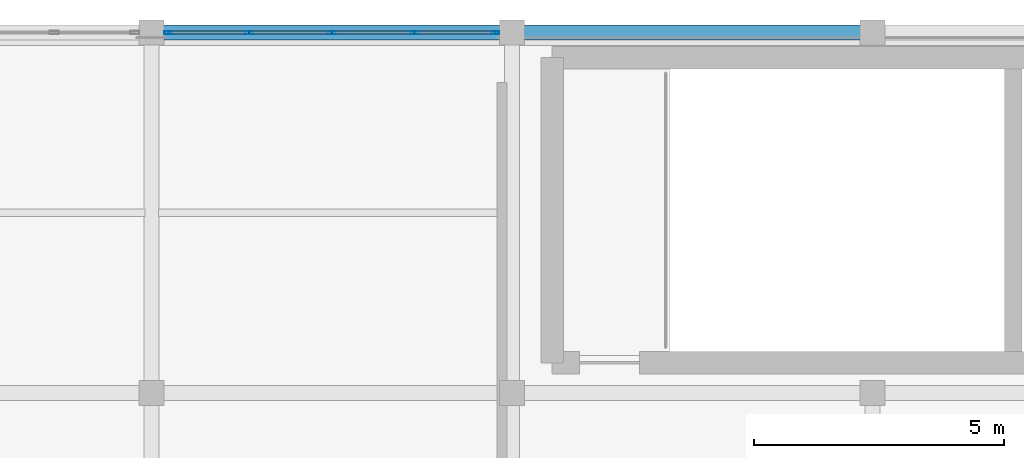
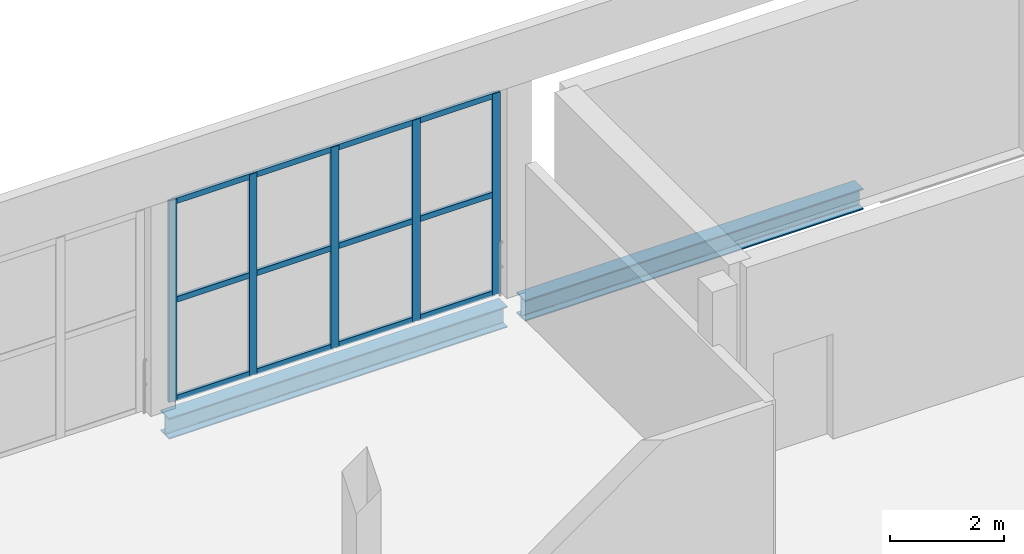
# One storey, part 36 of 64: 17 members, 2 beams, 1 element without a shape of its own.
"""IFC4 building model written with IfcOpenShell, lengths in metres."""

from ifc_helpers import new_model, si_unit, direction, frame, origin, origin_2d, place, context, subcontext, project, spatial, hollow_rectangle, i_section, extrude, material, material_profile, profile_set, type_object, element, aggregate, save


model = new_model("IFC4")

# Units and contexts
model_context = context("Model", 3, precision=1e-05, world=origin(), true_north=direction((0.0, 1.0)))
body_context = subcontext(model_context, "Body", "Model", "MODEL_VIEW")
ifc_project = project(units=[si_unit("LENGTHUNIT", "METRE"), si_unit("AREAUNIT", "SQUARE_METRE"), si_unit("VOLUMEUNIT", "CUBIC_METRE"), si_unit("PLANEANGLEUNIT", "RADIAN"), si_unit("MASSUNIT", "GRAM", prefix="KILO")], contexts=[model_context])

# Site, building, storey
site_placement = place(None, origin())
site = spatial("IfcSite", under=ifc_project, at=site_placement, CompositionType="ELEMENT")
building_placement = place(site_placement, origin())
building = spatial("IfcBuilding", under=site, at=building_placement, Name="Qandorah Velis Arena", CompositionType="ELEMENT")
storey_placement = place(building_placement, frame((0.0, 0.0, 23.0)))
storey = spatial("IfcBuildingStorey", under=building, at=storey_placement, Name="L05", CompositionType="ELEMENT", Elevation=23.0)

# Curtain wall, members
ifc_material_1 = material(Name="Solar-control low-E double glazing", Category="glass")
curtain_wall_type = type_object("IfcCurtainWallType", Name="ARC-CW-SYS07", PredefinedType="USERDEFINED", material=ifc_material_1)
curtain_wall_placement = place(storey_placement, origin())
curtain_wall = element("IfcCurtainWall", 1, at=curtain_wall_placement, inside=storey, type_object=curtain_wall_type, Name="Unitised curtain wall L05-103", ObjectType="UNITISED CURTAIN WALL", PredefinedType="USERDEFINED")
ifc_material_2 = material(Name="Champagne-bronze anodized aluminium 6063-T6", Category="aluminium")
ifc_material_profile_1 = material_profile(ifc_material_2, hollow_rectangle(XDim=0.06005859375, YDim=0.159912109375, WallThickness=0.00341796875, at=origin_2d()), Name="ALU MULLION 60x160")
ifc_profile_set_1 = profile_set([ifc_material_profile_1], Name="Champagne-bronze anodized aluminium 6063-T6")
member_type_1 = type_object("IfcMemberType", Name="ARC-CWM-160", PredefinedType="MULLION", material=ifc_profile_set_1)
member_1_placement = place(storey_placement, frame((65.1298828125, 129.60009765625, -0.014892578125), z_axis=(0.0, 0.0, 1.0), x_axis=(0.0, 1.0, 0.0)))
member_1 = element("IfcMember", 2, at=member_1_placement, type_object=member_type_1, Name="CW07 mullion 1", PredefinedType="MULLION", context=body_context, shape_type="SweptSolid", body=[
    extrude(hollow_rectangle(XDim=0.06005859375, YDim=0.159912109375, WallThickness=0.00341796875, at=origin_2d()), origin(), (0.0, 0.0, 1.0), 4.309814453125),
])
member_2_placement = place(storey_placement, frame((66.75, 129.60009765625, -0.014892578125), z_axis=(0.0, 0.0, 1.0), x_axis=(0.0, 1.0, 0.0)))
member_2 = element("IfcMember", 3, at=member_2_placement, type_object=member_type_1, Name="CW07 mullion 2", PredefinedType="MULLION", context=body_context, shape_type="SweptSolid", body=[
    extrude(hollow_rectangle(XDim=0.06005859375, YDim=0.159912109375, WallThickness=0.00341796875, at=origin_2d()), origin(), (0.0, 0.0, 1.0), 4.309814453125),
])
member_3_placement = place(storey_placement, frame((68.39990234375, 129.60009765625, -0.014892578125), z_axis=(0.0, 0.0, 1.0), x_axis=(0.0, 1.0, 0.0)))
member_3 = element("IfcMember", 4, at=member_3_placement, type_object=member_type_1, Name="CW07 mullion 3", PredefinedType="MULLION", context=body_context, shape_type="SweptSolid", body=[
    extrude(hollow_rectangle(XDim=0.06005859375, YDim=0.159912109375, WallThickness=0.00341796875, at=origin_2d()), origin(), (0.0, 0.0, 1.0), 4.309814453125),
])
member_4_placement = place(storey_placement, frame((70.050048828125, 129.60009765625, -0.014892578125), z_axis=(0.0, 0.0, 1.0), x_axis=(0.0, 1.0, 0.0)))
member_4 = element("IfcMember", 5, at=member_4_placement, type_object=member_type_1, Name="CW07 mullion 4", PredefinedType="MULLION", context=body_context, shape_type="SweptSolid", body=[
    extrude(hollow_rectangle(XDim=0.06005859375, YDim=0.159912109375, WallThickness=0.00341796875, at=origin_2d()), origin(), (0.0, 0.0, 1.0), 4.309814453125),
])
member_5_placement = place(storey_placement, frame((71.669921875, 129.60009765625, -0.014892578125), z_axis=(0.0, 0.0, 1.0), x_axis=(0.0, 1.0, 0.0)))
member_5 = element("IfcMember", 6, at=member_5_placement, type_object=member_type_1, Name="CW07 mullion 5", PredefinedType="MULLION", context=body_context, shape_type="SweptSolid", body=[
    extrude(hollow_rectangle(XDim=0.06005859375, YDim=0.159912109375, WallThickness=0.00341796875, at=origin_2d()), origin(), (0.0, 0.0, 1.0), 4.309814453125),
])
ifc_material_profile_2 = material_profile(ifc_material_2, hollow_rectangle(XDim=0.06005859375, YDim=0.1201171875, WallThickness=0.0029296875, at=origin_2d()), Name="ALU TRANSOM 60x120")
ifc_profile_set_2 = profile_set([ifc_material_profile_2], Name="Champagne-bronze anodized aluminium 6063-T6")
member_type_2 = type_object("IfcMemberType", Name="ARC-CWT-120", PredefinedType="USERDEFINED", material=ifc_profile_set_2)
member_6_placement = place(storey_placement, frame((65.14794921875, 129.60009765625, 0.030029296875), z_axis=(1.0, 0.0, 0.0), x_axis=(0.0, 1.0, 0.0)))
member_6 = element("IfcMember", 7, at=member_6_placement, type_object=member_type_2, Name="CW07 transom 1.1", ObjectType="TRANSOM", PredefinedType="USERDEFINED", context=body_context, shape_type="SweptSolid", body=[
    extrude(hollow_rectangle(XDim=0.06005859375, YDim=0.1201171875, WallThickness=0.0029296875, at=origin_2d()), origin(), (0.0, 0.0, 1.0), 1.583984375),
])
member_7_placement = place(storey_placement, frame((65.14794921875, 129.60009765625, 2.139892578125), z_axis=(1.0, 0.0, 0.0), x_axis=(0.0, 1.0, 0.0)))
member_7 = element("IfcMember", 8, at=member_7_placement, type_object=member_type_2, Name="CW07 transom 1.2", ObjectType="TRANSOM", PredefinedType="USERDEFINED", context=body_context, shape_type="SweptSolid", body=[
    extrude(hollow_rectangle(XDim=0.06005859375, YDim=0.1201171875, WallThickness=0.0029296875, at=origin_2d()), origin(), (0.0, 0.0, 1.0), 1.583984375),
])
member_8_placement = place(storey_placement, frame((65.14794921875, 129.60009765625, 4.25), z_axis=(1.0, 0.0, 0.0), x_axis=(0.0, 1.0, 0.0)))
member_8 = element("IfcMember", 9, at=member_8_placement, type_object=member_type_2, Name="CW07 transom 1.3", ObjectType="TRANSOM", PredefinedType="USERDEFINED", context=body_context, shape_type="SweptSolid", body=[
    extrude(hollow_rectangle(XDim=0.06005859375, YDim=0.1201171875, WallThickness=0.0029296875, at=origin_2d()), origin(), (0.0, 0.0, 1.0), 1.583984375),
])
member_9_placement = place(storey_placement, frame((66.76806640625, 129.60009765625, 0.030029296875), z_axis=(1.0, 0.0, 0.0), x_axis=(0.0, 1.0, 0.0)))
member_9 = element("IfcMember", 10, at=member_9_placement, type_object=member_type_2, Name="CW07 transom 2.1", ObjectType="TRANSOM", PredefinedType="USERDEFINED", context=body_context, shape_type="SweptSolid", body=[
    extrude(hollow_rectangle(XDim=0.06005859375, YDim=0.1201171875, WallThickness=0.0029296875, at=origin_2d()), origin(), (0.0, 0.0, 1.0), 1.614013671875),
])
member_10_placement = place(storey_placement, frame((66.76806640625, 129.60009765625, 2.139892578125), z_axis=(1.0, 0.0, 0.0), x_axis=(0.0, 1.0, 0.0)))
member_10 = element("IfcMember", 11, at=member_10_placement, type_object=member_type_2, Name="CW07 transom 2.2", ObjectType="TRANSOM", PredefinedType="USERDEFINED", context=body_context, shape_type="SweptSolid", body=[
    extrude(hollow_rectangle(XDim=0.06005859375, YDim=0.1201171875, WallThickness=0.0029296875, at=origin_2d()), origin(), (0.0, 0.0, 1.0), 1.614013671875),
])
member_11_placement = place(storey_placement, frame((66.76806640625, 129.60009765625, 4.25), z_axis=(1.0, 0.0, 0.0), x_axis=(0.0, 1.0, 0.0)))
member_11 = element("IfcMember", 12, at=member_11_placement, type_object=member_type_2, Name="CW07 transom 2.3", ObjectType="TRANSOM", PredefinedType="USERDEFINED", context=body_context, shape_type="SweptSolid", body=[
    extrude(hollow_rectangle(XDim=0.06005859375, YDim=0.1201171875, WallThickness=0.0029296875, at=origin_2d()), origin(), (0.0, 0.0, 1.0), 1.614013671875),
])
member_12_placement = place(storey_placement, frame((68.41796875, 129.60009765625, 0.030029296875), z_axis=(1.0, 0.0, 0.0), x_axis=(0.0, 1.0, 0.0)))
member_12 = element("IfcMember", 13, at=member_12_placement, type_object=member_type_2, Name="CW07 transom 3.1", ObjectType="TRANSOM", PredefinedType="USERDEFINED", context=body_context, shape_type="SweptSolid", body=[
    extrude(hollow_rectangle(XDim=0.06005859375, YDim=0.1201171875, WallThickness=0.0029296875, at=origin_2d()), origin(), (0.0, 0.0, 1.0), 1.614013671875),
])
member_13_placement = place(storey_placement, frame((68.41796875, 129.60009765625, 2.139892578125), z_axis=(1.0, 0.0, 0.0), x_axis=(0.0, 1.0, 0.0)))
member_13 = element("IfcMember", 14, at=member_13_placement, type_object=member_type_2, Name="CW07 transom 3.2", ObjectType="TRANSOM", PredefinedType="USERDEFINED", context=body_context, shape_type="SweptSolid", body=[
    extrude(hollow_rectangle(XDim=0.06005859375, YDim=0.1201171875, WallThickness=0.0029296875, at=origin_2d()), origin(), (0.0, 0.0, 1.0), 1.614013671875),
])
member_14_placement = place(storey_placement, frame((68.41796875, 129.60009765625, 4.25), z_axis=(1.0, 0.0, 0.0), x_axis=(0.0, 1.0, 0.0)))
member_14 = element("IfcMember", 15, at=member_14_placement, type_object=member_type_2, Name="CW07 transom 3.3", ObjectType="TRANSOM", PredefinedType="USERDEFINED", context=body_context, shape_type="SweptSolid", body=[
    extrude(hollow_rectangle(XDim=0.06005859375, YDim=0.1201171875, WallThickness=0.0029296875, at=origin_2d()), origin(), (0.0, 0.0, 1.0), 1.614013671875),
])
member_15_placement = place(storey_placement, frame((70.068115234375, 129.60009765625, 0.030029296875), z_axis=(1.0, 0.0, 0.0), x_axis=(0.0, 1.0, 0.0)))
member_15 = element("IfcMember", 16, at=member_15_placement, type_object=member_type_2, Name="CW07 transom 4.1", ObjectType="TRANSOM", PredefinedType="USERDEFINED", context=body_context, shape_type="SweptSolid", body=[
    extrude(hollow_rectangle(XDim=0.06005859375, YDim=0.1201171875, WallThickness=0.0029296875, at=origin_2d()), origin(), (0.0, 0.0, 1.0), 1.583984375),
])
member_16_placement = place(storey_placement, frame((70.068115234375, 129.60009765625, 2.139892578125), z_axis=(1.0, 0.0, 0.0), x_axis=(0.0, 1.0, 0.0)))
member_16 = element("IfcMember", 17, at=member_16_placement, type_object=member_type_2, Name="CW07 transom 4.2", ObjectType="TRANSOM", PredefinedType="USERDEFINED", context=body_context, shape_type="SweptSolid", body=[
    extrude(hollow_rectangle(XDim=0.06005859375, YDim=0.1201171875, WallThickness=0.0029296875, at=origin_2d()), origin(), (0.0, 0.0, 1.0), 1.583984375),
])
member_17_placement = place(storey_placement, frame((70.068115234375, 129.60009765625, 4.25), z_axis=(1.0, 0.0, 0.0), x_axis=(0.0, 1.0, 0.0)))
member_17 = element("IfcMember", 18, at=member_17_placement, type_object=member_type_2, Name="CW07 transom 4.3", ObjectType="TRANSOM", PredefinedType="USERDEFINED", context=body_context, shape_type="SweptSolid", body=[
    extrude(hollow_rectangle(XDim=0.06005859375, YDim=0.1201171875, WallThickness=0.0029296875, at=origin_2d()), origin(), (0.0, 0.0, 1.0), 1.583984375),
])
aggregate(curtain_wall, [member_1, member_2, member_3, member_4, member_5, member_6, member_7, member_8, member_9, member_10, member_11, member_12, member_13, member_14, member_15, member_16, member_17])

# Beams
ifc_material_3 = material(Name="Steel S355", Category="steel")
ifc_material_profile_3 = material_profile(ifc_material_3, i_section(OverallWidth=0.300048828125, OverallDepth=0.449951171875, WebThickness=0.013916015625, FlangeThickness=0.02587890625, FilletRadius=0.027099609375, at=origin_2d()), Name="HEB 450")
ifc_profile_set_3 = profile_set([ifc_material_profile_3], Name="Steel S355")
beam_type = type_object("IfcBeamType", Name="STR-BM-HEB450", PredefinedType="BEAM", material=ifc_profile_set_3)
for number, where, z_axis, x_axis, name in (
    (19, (64.978515625, 129.60009765625, -0.47509765625), (1.0, 0.0, 0.0), (0.0, 1.0, 0.0), "Primary floor girder L05 X-110"),
    (20, (72.178466796875, 129.60009765625, -0.47509765625), (1.0, 0.0, 0.0), (0.0, 1.0, 0.0), "Primary floor girder L05 X-111"),
):
    element("IfcBeam", number, at=place(storey_placement, frame(where, z_axis=z_axis, x_axis=x_axis)), inside=storey, type_object=beam_type, Name=name, PredefinedType="BEAM", context=body_context, shape_type="SweptSolid", body=[
        extrude(i_section(OverallWidth=0.300048828125, OverallDepth=0.449951171875, WebThickness=0.013916015625, FlangeThickness=0.02587890625, FilletRadius=0.027099609375, at=origin_2d()), origin(), (0.0, 0.0, 1.0), 6.843017578125),
    ])

save(model, "model.ifc")
